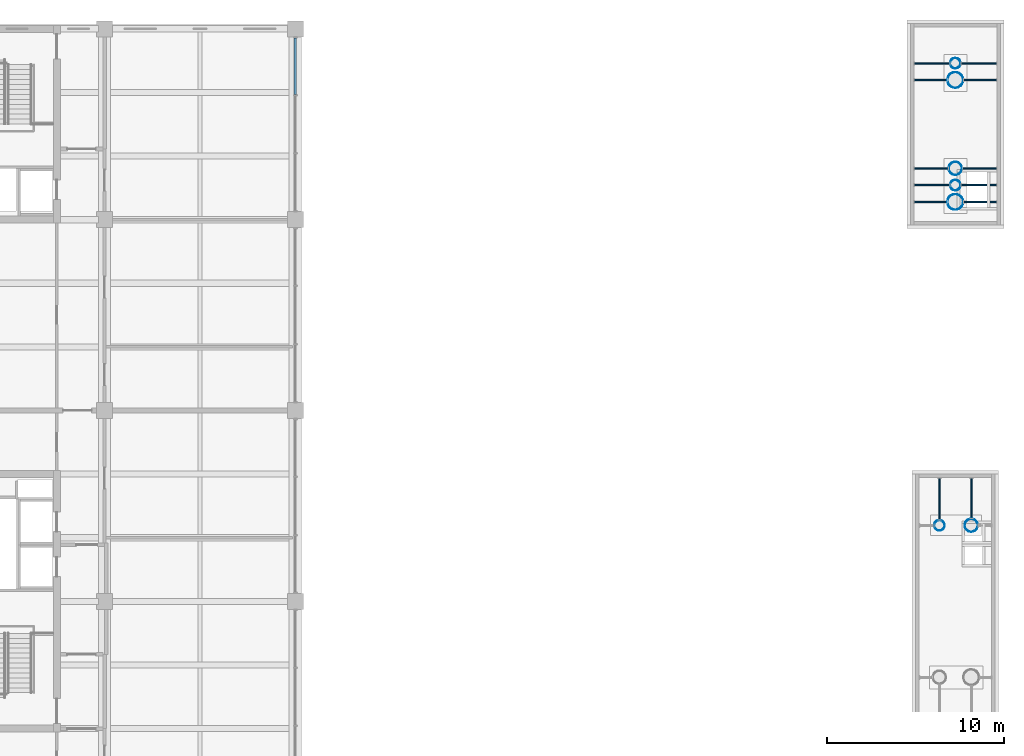
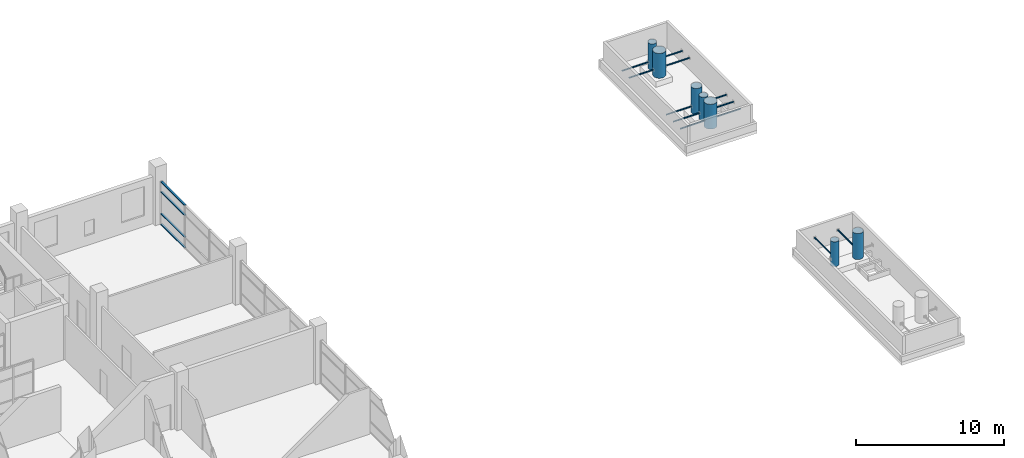
# One storey, part 9 of 22: 23 members, 1 element without a shape of its own.
"""IFC4 building model written with IfcOpenShell, lengths in metres."""

import ifcopenshell
import ifcopenshell.guid

model = None  # the IFC model being written
_history = None  # IfcOwnerHistory: only IFC2X3 demands one
_inside = {}  # id of a spatial element -> (the spatial element, [elements in it])
_under = {}  # id of a project, library or spatial element -> (it, [spatial elements below it])
_declared = {}  # id of a project -> (the project, [libraries it declares])
_typed = {}  # id of a type object -> (the type object, [elements of that type])
_made_of = {}  # id of a material, layer set ... -> (it, [elements and type objects made of it])


def new_model(schema):
    """Start an empty IFC model of exactly this schema.

    Asked for "IFC4X3", IfcOpenShell would pick the latest addendum, in which some entities
    have other attributes; the version numbers below select the first issue.
    IFC2X3 requires an IfcOwnerHistory on every rooted entity: one is made here for all.
    """
    global model, _history
    if schema == "IFC4X3":
        model = ifcopenshell.file(schema_version=(4, 3, 0, 0))
    else:
        model = ifcopenshell.file(schema=schema)
    _inside.clear()
    _under.clear()
    _declared.clear()
    _typed.clear()
    _made_of.clear()
    _history = None
    if model.schema == "IFC2X3":
        org = make("IfcOrganization", Name="unknown")
        user = make(
            "IfcPersonAndOrganization",
            ThePerson=make("IfcPerson", FamilyName="unknown"),
            TheOrganization=org,
        )
        app = make(
            "IfcApplication",
            ApplicationDeveloper=org,
            Version="unknown",
            ApplicationFullName="unknown",
            ApplicationIdentifier="unknown",
        )
        _history = make(
            "IfcOwnerHistory",
            OwningUser=user,
            OwningApplication=app,
            ChangeAction="ADDED",
            CreationDate=0,
        )
    return model


def make(cls, **values):
    """One entity of the class cls with the attributes given. An attribute that is None is left unset."""
    return model.create_entity(
        cls, **{name: value for name, value in values.items() if value is not None}
    )


def rooted(cls, **values):
    """An entity with a GlobalId (a new one), such as an element, a storey or a relation."""
    return make(cls, GlobalId=ifcopenshell.guid.new(), OwnerHistory=_history, **values)


def si_unit(unit_type, name, prefix=None):
    """IfcSIUnit, for example si_unit("LENGTHUNIT", "METRE", prefix="MILLI")."""
    return make("IfcSIUnit", UnitType=unit_type, Prefix=prefix, Name=name)


def assignment(units):
    """IfcUnitAssignment: the units of a project."""
    return None if units is None else make("IfcUnitAssignment", Units=units)


def point(xyz):
    """IfcCartesianPoint."""
    return None if xyz is None else make("IfcCartesianPoint", Coordinates=xyz)


def direction(xyz):
    """IfcDirection."""
    return None if xyz is None else make("IfcDirection", DirectionRatios=xyz)


def frame(location, z_axis=None, x_axis=None):
    """IfcAxis2Placement3D, a coordinate frame: its origin and axes. An axis left out is left unset."""
    return make(
        "IfcAxis2Placement3D",
        Location=point(location),
        Axis=direction(z_axis),
        RefDirection=direction(x_axis),
    )


def frame_2d(location, x_axis=None):
    """IfcAxis2Placement2D, a coordinate frame in the plane: its origin and x axis."""
    return make(
        "IfcAxis2Placement2D", Location=point(location), RefDirection=direction(x_axis)
    )


def origin():
    """The frame at (0, 0, 0) with its axes left unset."""
    return frame((0.0, 0.0, 0.0))


def origin_2d():
    """The frame at (0, 0) in the plane with its x axis left unset."""
    return frame_2d((0.0, 0.0))


def place(relative_to, where):
    """IfcLocalPlacement: puts the frame where relative to a parent placement (None: the world)."""
    return make(
        "IfcLocalPlacement", PlacementRelTo=relative_to, RelativePlacement=where
    )


def context(
    kind, dimensions, precision=None, world=None, true_north=None, identifier=None
):
    """IfcGeometricRepresentationContext, for example the 3D "Model" context."""
    return make(
        "IfcGeometricRepresentationContext",
        ContextIdentifier=identifier,
        ContextType=kind,
        CoordinateSpaceDimension=dimensions,
        Precision=precision,
        WorldCoordinateSystem=world,
        TrueNorth=true_north,
    )


def subcontext(parent, identifier, kind, view, scale=None):
    """IfcGeometricRepresentationSubContext, for example "Body" below "Model"."""
    return make(
        "IfcGeometricRepresentationSubContext",
        ContextIdentifier=identifier,
        ContextType=kind,
        ParentContext=parent,
        TargetScale=scale,
        TargetView=view,
    )


def project(units=None, contexts=None):
    """IfcProject with its units and contexts."""
    return rooted(
        "IfcProject",
        Name="project",
        RepresentationContexts=contexts,
        UnitsInContext=assignment(units),
    )


def spatial(cls, under=None, at=None, **own):
    """A site, building, storey or space (cls), placed at a placement, below another one or the project."""
    s = rooted(cls, ObjectPlacement=at, **own)
    if under is not None:
        _under.setdefault(under.id(), (under, []))[1].append(s)
    return s


def profile(cls, at=None, kind="AREA", **sizes):
    """A parametric profile (cls). Its sizes go by their IFC names, for example OverallWidth=200.0."""
    return make(cls, ProfileType=kind, Position=at, **sizes)


def rectangle(**sizes):
    """IfcRectangleProfileDef."""
    return profile("IfcRectangleProfileDef", **sizes)


def hollow_circle(**sizes):
    """IfcCircleHollowProfileDef."""
    return profile("IfcCircleHollowProfileDef", **sizes)


def extrude(swept, where, along, depth):
    """IfcExtrudedAreaSolid: the profile swept, set in the frame where, extruded along a direction by depth."""
    return make(
        "IfcExtrudedAreaSolid",
        SweptArea=swept,
        Position=where,
        ExtrudedDirection=direction(along),
        Depth=depth,
    )


def shape(context_of_items, identifier, shape_type, items):
    """IfcShapeRepresentation: the items that make up one representation, for example the "Body"."""
    return make(
        "IfcShapeRepresentation",
        ContextOfItems=context_of_items,
        RepresentationIdentifier=identifier,
        RepresentationType=shape_type,
        Items=items,
    )


def material(Name=None, Category=None):
    """IfcMaterial."""
    return make("IfcMaterial", Name=Name, Category=Category)


def layer(
    of_material, thickness, ventilated=None, Name=None, Category=None, Priority=None
):
    """IfcMaterialLayer: one layer of a wall or slab, of a material (None: an air gap)."""
    return make(
        "IfcMaterialLayer",
        Material=of_material,
        LayerThickness=thickness,
        IsVentilated=ventilated,
        Name=Name,
        Category=Category,
        Priority=Priority,
    )


def layer_set(layers, Name=None):
    """IfcMaterialLayerSet."""
    return make("IfcMaterialLayerSet", MaterialLayers=layers, LayerSetName=Name)


def material_profile(
    of_material, cross_section, Name=None, Category=None, Priority=None
):
    """IfcMaterialProfile: a cross section and its material."""
    return make(
        "IfcMaterialProfile",
        Name=Name,
        Material=of_material,
        Profile=cross_section,
        Priority=Priority,
        Category=Category,
    )


def profile_set(profiles, Name=None, composite=None):
    """IfcMaterialProfileSet."""
    return make(
        "IfcMaterialProfileSet",
        Name=Name,
        MaterialProfiles=profiles,
        CompositeProfile=composite,
    )


def made_of(thing, what):
    """Note that an element or type object is made of a material, layer set ...; save() writes the relation."""
    if what is not None:
        _made_of.setdefault(what.id(), (what, []))[1].append(thing)
    return thing


def type_object(cls, material=None, **own):
    """A type object (cls), such as IfcWallType, which elements share."""
    return made_of(rooted(cls, **own), material)


def element(
    cls,
    number,
    at=None,
    inside=None,
    cuts=None,
    type_object=None,
    material=None,
    context=None,
    identifier="Body",
    shape_type=None,
    held_by="IfcProductDefinitionShape",
    body=None,
    shapes=None,
    **own,
):
    """One element of the class cls, such as IfcWall. Its Tag is "e" and its number.

    at: its placement. inside: the storey or other place that contains it. cuts: it is an
    opening in that element (IfcRelVoidsElement). A single representation is given by context,
    identifier, shape_type and body (its items); several are given by shapes. held_by: the class
    of the entity that holds the representations. save() writes the other relations.
    """
    e = rooted(cls, Tag="e%d" % number, ObjectPlacement=at, **own)
    if body is not None:
        shapes = [shape(context, identifier, shape_type, body)]
    if shapes is not None:
        e.Representation = make(held_by, Representations=shapes)
    if inside is not None:
        _inside.setdefault(inside.id(), (inside, []))[1].append(e)
    if cuts is not None:
        rooted(
            "IfcRelVoidsElement", RelatingBuildingElement=cuts, RelatedOpeningElement=e
        )
    if type_object is not None:
        _typed.setdefault(type_object.id(), (type_object, []))[1].append(e)
    return made_of(e, material)


def aggregate(whole, parts):
    """IfcRelAggregates: a whole, such as a stair, and the parts it consists of."""
    return rooted("IfcRelAggregates", RelatingObject=whole, RelatedObjects=parts)


def save(model, path):
    """Write the relations noted so far, then the file.

    IfcRelAggregates (storeys below a building ...), IfcRelContainedInSpatialStructure (elements
    in a storey), IfcRelDefinesByType, IfcRelAssociatesMaterial and IfcRelDeclares: one each for
    every whole, place, type object, material and project.
    """
    for whole, parts in _under.values():
        aggregate(whole, parts)
    for where, things in _inside.values():
        rooted(
            "IfcRelContainedInSpatialStructure",
            RelatedElements=things,
            RelatingStructure=where,
        )
    for kind, things in _typed.values():
        rooted("IfcRelDefinesByType", RelatedObjects=things, RelatingType=kind)
    for what, things in _made_of.values():
        rooted("IfcRelAssociatesMaterial", RelatedObjects=things, RelatingMaterial=what)
    for by, libraries in _declared.values():
        rooted("IfcRelDeclares", RelatingContext=by, RelatedDefinitions=libraries)
    model.write(path)


model = new_model("IFC4")

# Units and contexts
model_context = context("Model", 3, precision=1e-05, world=origin(), true_north=direction((0.0, 1.0)))
body_context = subcontext(model_context, "Body", "Model", "MODEL_VIEW")
ifc_project = project(units=[si_unit("LENGTHUNIT", "METRE"), si_unit("AREAUNIT", "SQUARE_METRE"), si_unit("VOLUMEUNIT", "CUBIC_METRE"), si_unit("PLANEANGLEUNIT", "RADIAN"), si_unit("MASSUNIT", "GRAM", prefix="KILO")], contexts=[model_context])

# Site, building, storey
site_placement = place(None, origin())
site = spatial("IfcSite", under=ifc_project, at=site_placement, CompositionType="ELEMENT")
building_placement = place(site_placement, origin())
building = spatial("IfcBuilding", under=site, at=building_placement, Name="Basin Gate Institute", CompositionType="ELEMENT")
storey_placement = place(building_placement, frame((0.0, 0.0, 51.0)))
storey = spatial("IfcBuildingStorey", under=building, at=storey_placement, Name="L10", CompositionType="ELEMENT", Elevation=51.0)

# Members
ifc_material_1 = material(Name="Structural steel SN490", Category="steel")
ifc_material_profile_1 = material_profile(ifc_material_1, hollow_circle(Radius=0.300048828125, WallThickness=0.011962890625, at=origin_2d()), Name="CHS600x12")
ifc_profile_set_1 = profile_set([ifc_material_profile_1], Name="Structural steel SN490")
member_type_1 = type_object("IfcMemberType", Name="Exhaust pipe EX1", PredefinedType="POST", material=ifc_profile_set_1)
member_1_placement = place(storey_placement, frame((115.64990234375, 71.800048828125, 0.699951171875), z_axis=(0.0, 0.0, 1.0), x_axis=(1.0, 0.0, 0.0)))
element("IfcMember", 1, at=member_1_placement, inside=storey, type_object=member_type_1, material=ifc_profile_set_1, Name="Exhaust pipe EX1 EM 3", PredefinedType="POST", context=body_context, shape_type="SweptSolid", body=[
    extrude(hollow_circle(Radius=0.300048828125, WallThickness=0.011962890625, at=origin_2d()), origin(), (0.0, 0.0, 1.0), 2.030029296875),
])
member_2_placement = place(storey_placement, frame((116.550048828125, 91.050048828125, 0.699951171875), z_axis=(0.0, 0.0, 1.0), x_axis=(1.0, 0.0, 0.0)))
element("IfcMember", 2, at=member_2_placement, inside=storey, type_object=member_type_1, material=ifc_profile_set_1, Name="Exhaust pipe EX1 EN 2", PredefinedType="POST", context=body_context, shape_type="SweptSolid", body=[
    extrude(hollow_circle(Radius=0.300048828125, WallThickness=0.011962890625, at=origin_2d()), origin(), (0.0, 0.0, 1.0), 1.929931640625),
])
member_3_placement = place(storey_placement, frame((116.550048828125, 97.949951171875, 0.699951171875), z_axis=(0.0, 0.0, 1.0), x_axis=(1.0, 0.0, 0.0)))
element("IfcMember", 3, at=member_3_placement, inside=storey, type_object=member_type_1, material=ifc_profile_set_1, Name="Exhaust pipe EX1 EN 5", PredefinedType="POST", context=body_context, shape_type="SweptSolid", body=[
    extrude(hollow_circle(Radius=0.300048828125, WallThickness=0.011962890625, at=origin_2d()), origin(), (0.0, 0.0, 1.0), 2.130126953125),
])
ifc_material_2 = material(Name="Structural steel SN490", Category="steel")
ifc_material_profile_2 = material_profile(ifc_material_2, hollow_circle(Radius=0.375, WallThickness=0.013916015625, at=origin_2d()), Name="CHS750x14")
ifc_profile_set_2 = profile_set([ifc_material_profile_2], Name="Structural steel SN490")
member_type_2 = type_object("IfcMemberType", Name="Exhaust pipe EX2", PredefinedType="POST", material=ifc_profile_set_2)
for number, where, z_axis, x_axis, name in (
    (4, (117.449951171875, 71.800048828125, 0.699951171875), (0.0, 0.0, 1.0), (1.0, 0.0, 0.0), "Exhaust pipe EX2 EM 4"),
    (5, (116.550048828125, 92.0, 0.699951171875), (0.0, 0.0, 1.0), (1.0, 0.0, 0.0), "Exhaust pipe EX2 EN 3"),
):
    element("IfcMember", number, at=place(storey_placement, frame(where, z_axis=z_axis, x_axis=x_axis)), inside=storey, type_object=member_type_2, material=ifc_profile_set_2, Name=name, PredefinedType="POST", context=body_context, shape_type="SweptSolid", body=[
        extrude(hollow_circle(Radius=0.375, WallThickness=0.013916015625, at=origin_2d()), origin(), (0.0, 0.0, 1.0), 2.130126953125),
    ])
ifc_material_3 = material(Name="Structural steel SN490", Category="steel")
ifc_material_profile_3 = material_profile(ifc_material_3, hollow_circle(Radius=0.449951171875, WallThickness=0.01611328125, at=origin_2d()), Name="CHS900x16")
ifc_profile_set_3 = profile_set([ifc_material_profile_3], Name="Structural steel SN490")
member_type_3 = type_object("IfcMemberType", Name="Exhaust pipe EX3", PredefinedType="POST", material=ifc_profile_set_3)
for number, where, z_axis, x_axis, name in (
    (6, (116.550048828125, 90.10009765625, 0.699951171875), (0.0, 0.0, 1.0), (1.0, 0.0, 0.0), "Exhaust pipe EX3 EN 1"),
    (7, (116.550048828125, 97.0, 0.699951171875), (0.0, 0.0, 1.0), (1.0, 0.0, 0.0), "Exhaust pipe EX3 EN 4"),
):
    element("IfcMember", number, at=place(storey_placement, frame(where, z_axis=z_axis, x_axis=x_axis)), inside=storey, type_object=member_type_3, material=ifc_profile_set_3, Name=name, PredefinedType="POST", context=body_context, shape_type="SweptSolid", body=[
        extrude(hollow_circle(Radius=0.449951171875, WallThickness=0.01611328125, at=origin_2d()), origin(), (0.0, 0.0, 1.0), 2.030029296875),
    ])
ifc_material_4 = material(Name="Structural steel SN490", Category="steel")
ifc_material_profile_4 = material_profile(ifc_material_4, hollow_circle(Radius=0.05712890625, WallThickness=0.0048828125, at=origin_2d()), Name="CHS114x5")
ifc_profile_set_4 = profile_set([ifc_material_profile_4], Name="Structural steel SN490")
member_type_4 = type_object("IfcMemberType", Name="Exhaust pipe tie TD5", PredefinedType="BRACE", material=ifc_profile_set_4)
member_4_placement = place(storey_placement, frame((115.64990234375, 72.10009765625, 1.25), z_axis=(0.0, 1.0, 0.0), x_axis=(-1.0, 0.0, 0.0)))
element("IfcMember", 8, at=member_4_placement, inside=storey, type_object=member_type_4, material=ifc_profile_set_4, Name="Exhaust pipe tie TD5 EM 3b", PredefinedType="BRACE", context=body_context, shape_type="SweptSolid", body=[
    extrude(hollow_circle(Radius=0.05712890625, WallThickness=0.0048828125, at=origin_2d()), origin(), (0.0, 0.0, 1.0), 2.39990234375),
])
member_5_placement = place(storey_placement, frame((117.449951171875, 72.175048828125, 1.25), z_axis=(0.0, 1.0, 0.0), x_axis=(-1.0, 0.0, 0.0)))
element("IfcMember", 9, at=member_5_placement, inside=storey, type_object=member_type_4, material=ifc_profile_set_4, Name="Exhaust pipe tie TD5 EM 4b", PredefinedType="BRACE", context=body_context, shape_type="SweptSolid", body=[
    extrude(hollow_circle(Radius=0.05712890625, WallThickness=0.0048828125, at=origin_2d()), origin(), (0.0, 0.0, 1.0), 2.324951171875),
])
member_6_placement = place(storey_placement, frame((116.10009765625, 90.10009765625, 1.25), z_axis=(-1.0, 0.0, 0.0), x_axis=(0.0, -1.0, 0.0)))
element("IfcMember", 10, at=member_6_placement, inside=storey, type_object=member_type_4, material=ifc_profile_set_4, Name="Exhaust pipe tie TD5 EN 1a", PredefinedType="BRACE", context=body_context, shape_type="SweptSolid", body=[
    extrude(hollow_circle(Radius=0.05712890625, WallThickness=0.0048828125, at=origin_2d()), origin(), (0.0, 0.0, 1.0), 1.900146484375),
])
member_7_placement = place(storey_placement, frame((117.0, 90.10009765625, 1.25), z_axis=(1.0, 0.0, 0.0), x_axis=(0.0, 1.0, 0.0)))
element("IfcMember", 11, at=member_7_placement, inside=storey, type_object=member_type_4, material=ifc_profile_set_4, Name="Exhaust pipe tie TD5 EN 1b", PredefinedType="BRACE", context=body_context, shape_type="SweptSolid", body=[
    extrude(hollow_circle(Radius=0.05712890625, WallThickness=0.0048828125, at=origin_2d()), origin(), (0.0, 0.0, 1.0), 1.89990234375),
])
member_8_placement = place(storey_placement, frame((116.25, 91.050048828125, 1.25), z_axis=(-1.0, 0.0, 0.0), x_axis=(0.0, -1.0, 0.0)))
element("IfcMember", 12, at=member_8_placement, inside=storey, type_object=member_type_4, material=ifc_profile_set_4, Name="Exhaust pipe tie TD5 EN 2a", PredefinedType="BRACE", context=body_context, shape_type="SweptSolid", body=[
    extrude(hollow_circle(Radius=0.05712890625, WallThickness=0.0048828125, at=origin_2d()), origin(), (0.0, 0.0, 1.0), 2.050048828125),
])
member_9_placement = place(storey_placement, frame((116.85009765625, 91.050048828125, 1.25), z_axis=(1.0, 0.0, 0.0), x_axis=(0.0, 1.0, 0.0)))
element("IfcMember", 13, at=member_9_placement, inside=storey, type_object=member_type_4, material=ifc_profile_set_4, Name="Exhaust pipe tie TD5 EN 2b", PredefinedType="BRACE", context=body_context, shape_type="SweptSolid", body=[
    extrude(hollow_circle(Radius=0.05712890625, WallThickness=0.0048828125, at=origin_2d()), origin(), (0.0, 0.0, 1.0), 2.0498046875),
])
member_10_placement = place(storey_placement, frame((116.175048828125, 92.0, 1.25), z_axis=(-1.0, 0.0, 0.0), x_axis=(0.0, -1.0, 0.0)))
element("IfcMember", 14, at=member_10_placement, inside=storey, type_object=member_type_4, material=ifc_profile_set_4, Name="Exhaust pipe tie TD5 EN 3a", PredefinedType="BRACE", context=body_context, shape_type="SweptSolid", body=[
    extrude(hollow_circle(Radius=0.05712890625, WallThickness=0.0048828125, at=origin_2d()), origin(), (0.0, 0.0, 1.0), 1.97509765625),
])
member_11_placement = place(storey_placement, frame((116.925048828125, 92.0, 1.25), z_axis=(1.0, 0.0, 0.0), x_axis=(0.0, 1.0, 0.0)))
element("IfcMember", 15, at=member_11_placement, inside=storey, type_object=member_type_4, material=ifc_profile_set_4, Name="Exhaust pipe tie TD5 EN 3b", PredefinedType="BRACE", context=body_context, shape_type="SweptSolid", body=[
    extrude(hollow_circle(Radius=0.05712890625, WallThickness=0.0048828125, at=origin_2d()), origin(), (0.0, 0.0, 1.0), 1.974853515625),
])
member_12_placement = place(storey_placement, frame((116.10009765625, 97.0, 1.25), z_axis=(-1.0, 0.0, 0.0), x_axis=(0.0, -1.0, 0.0)))
element("IfcMember", 16, at=member_12_placement, inside=storey, type_object=member_type_4, material=ifc_profile_set_4, Name="Exhaust pipe tie TD5 EN 4a", PredefinedType="BRACE", context=body_context, shape_type="SweptSolid", body=[
    extrude(hollow_circle(Radius=0.05712890625, WallThickness=0.0048828125, at=origin_2d()), origin(), (0.0, 0.0, 1.0), 1.900146484375),
])
member_13_placement = place(storey_placement, frame((117.0, 97.0, 1.25), z_axis=(1.0, 0.0, 0.0), x_axis=(0.0, 1.0, 0.0)))
element("IfcMember", 17, at=member_13_placement, inside=storey, type_object=member_type_4, material=ifc_profile_set_4, Name="Exhaust pipe tie TD5 EN 4b", PredefinedType="BRACE", context=body_context, shape_type="SweptSolid", body=[
    extrude(hollow_circle(Radius=0.05712890625, WallThickness=0.0048828125, at=origin_2d()), origin(), (0.0, 0.0, 1.0), 1.89990234375),
])
member_14_placement = place(storey_placement, frame((116.25, 97.949951171875, 1.25), z_axis=(-1.0, 0.0, 0.0), x_axis=(0.0, -1.0, 0.0)))
element("IfcMember", 18, at=member_14_placement, inside=storey, type_object=member_type_4, material=ifc_profile_set_4, Name="Exhaust pipe tie TD5 EN 5a", PredefinedType="BRACE", context=body_context, shape_type="SweptSolid", body=[
    extrude(hollow_circle(Radius=0.05712890625, WallThickness=0.0048828125, at=origin_2d()), origin(), (0.0, 0.0, 1.0), 2.050048828125),
])
member_15_placement = place(storey_placement, frame((116.85009765625, 97.949951171875, 1.25), z_axis=(1.0, 0.0, 0.0), x_axis=(0.0, 1.0, 0.0)))
element("IfcMember", 19, at=member_15_placement, inside=storey, type_object=member_type_4, material=ifc_profile_set_4, Name="Exhaust pipe tie TD5 EN 5b", PredefinedType="BRACE", context=body_context, shape_type="SweptSolid", body=[
    extrude(hollow_circle(Radius=0.05712890625, WallThickness=0.0048828125, at=origin_2d()), origin(), (0.0, 0.0, 1.0), 2.0498046875),
])

# Curtain wall, members
ifc_material_5 = material(Name="Aluminium-framed glazing", Category="aluminium")
ifc_layer = layer(ifc_material_5, 0.199951171875)
ifc_layer_set = layer_set([ifc_layer], Name="Atrium curtain wall CW2")
curtain_wall_type = type_object("IfcCurtainWallType", Name="Atrium curtain wall CW2", PredefinedType="NOTDEFINED", material=ifc_layer_set)
curtain_wall_placement = place(storey_placement, origin())
curtain_wall = element("IfcCurtainWall", 20, at=curtain_wall_placement, inside=storey, type_object=curtain_wall_type, material=ifc_layer_set, Name="Atrium curtain wall W wing atrium bay 6 L10", PredefinedType="NOTDEFINED")
ifc_material_6 = material(Name="Aluminium", Category="aluminium")
ifc_material_profile_5 = material_profile(ifc_material_6, rectangle(XDim=0.14990234375, YDim=0.06005859375, at=origin_2d()), Name="Transom TR2 150 x 60")
ifc_profile_set_5 = profile_set([ifc_material_profile_5], Name="Aluminium")
member_type_5 = type_object("IfcMemberType", Name="Transom TR2", PredefinedType="USERDEFINED", material=ifc_profile_set_5)
member_16_placement = place(storey_placement, frame((79.199951171875, 96.179931640625, 0.030029296875), z_axis=(0.0, 1.0, 0.0), x_axis=(-1.0, 0.0, 0.0)))
member_16 = element("IfcMember", 21, at=member_16_placement, type_object=member_type_5, material=ifc_profile_set_5, Name="CW2 transom 3.1", ObjectType="TRANSOM", PredefinedType="USERDEFINED", context=body_context, shape_type="SweptSolid", body=[
    extrude(rectangle(XDim=0.14990234375, YDim=0.06005859375, at=origin_2d()), origin(), (0.0, 0.0, 1.0), 3.2099609375),
])
member_17_placement = place(storey_placement, frame((79.199951171875, 96.179931640625, 0.89990234375), z_axis=(0.0, 1.0, 0.0), x_axis=(-1.0, 0.0, 0.0)))
member_17 = element("IfcMember", 22, at=member_17_placement, type_object=member_type_5, material=ifc_profile_set_5, Name="CW2 transom 3.2", ObjectType="TRANSOM", PredefinedType="USERDEFINED", context=body_context, shape_type="SweptSolid", body=[
    extrude(rectangle(XDim=0.14990234375, YDim=0.06005859375, at=origin_2d()), origin(), (0.0, 0.0, 1.0), 3.2099609375),
])
member_18_placement = place(storey_placement, frame((79.199951171875, 96.179931640625, 2.699951171875), z_axis=(0.0, 1.0, 0.0), x_axis=(-1.0, 0.0, 0.0)))
member_18 = element("IfcMember", 23, at=member_18_placement, type_object=member_type_5, material=ifc_profile_set_5, Name="CW2 transom 3.3", ObjectType="TRANSOM", PredefinedType="USERDEFINED", context=body_context, shape_type="SweptSolid", body=[
    extrude(rectangle(XDim=0.14990234375, YDim=0.06005859375, at=origin_2d()), origin(), (0.0, 0.0, 1.0), 3.2099609375),
])
member_19_placement = place(storey_placement, frame((79.199951171875, 96.179931640625, 3.52001953125), z_axis=(0.0, 1.0, 0.0), x_axis=(-1.0, 0.0, 0.0)))
member_19 = element("IfcMember", 24, at=member_19_placement, type_object=member_type_5, material=ifc_profile_set_5, Name="CW2 transom 3.4", ObjectType="TRANSOM", PredefinedType="USERDEFINED", context=body_context, shape_type="SweptSolid", body=[
    extrude(rectangle(XDim=0.14990234375, YDim=0.06005859375, at=origin_2d()), origin(), (0.0, 0.0, 1.0), 3.2099609375),
])
aggregate(curtain_wall, [member_16, member_17, member_18, member_19])

save(model, "model.ifc")
